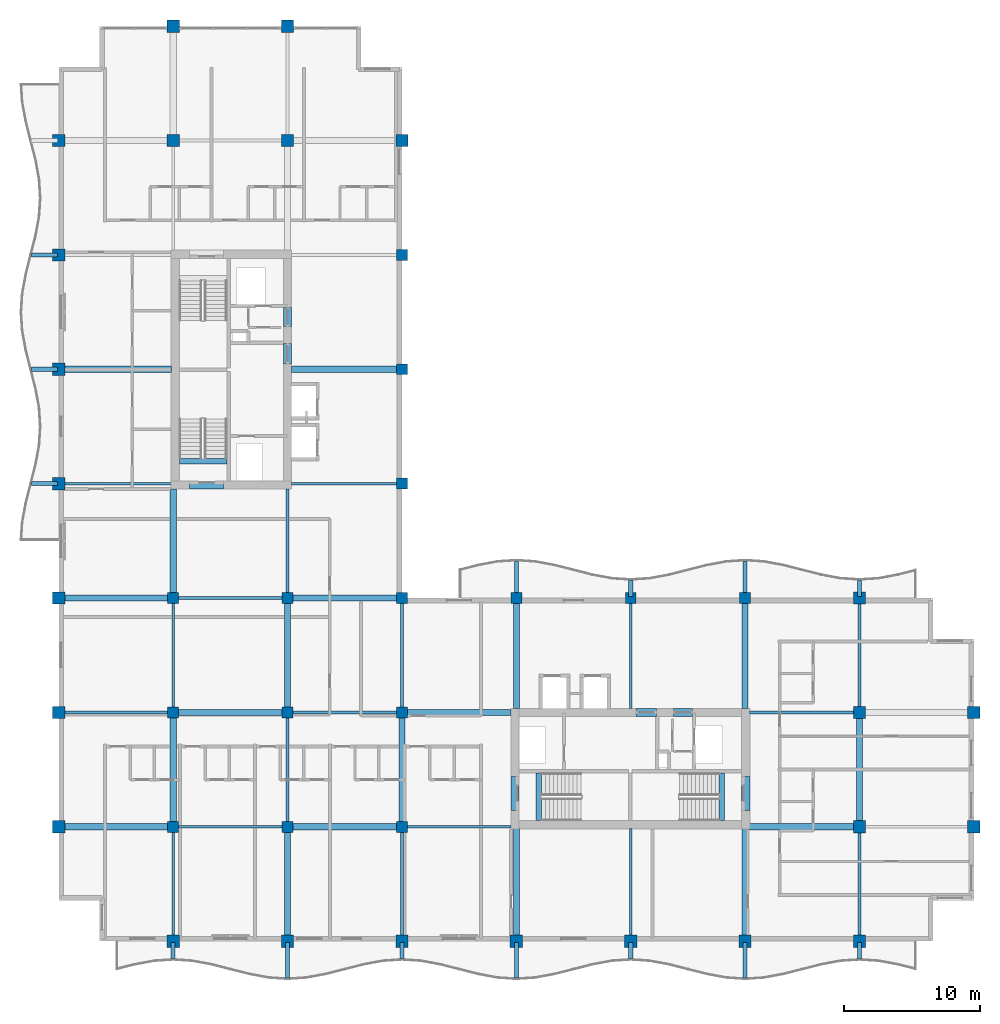
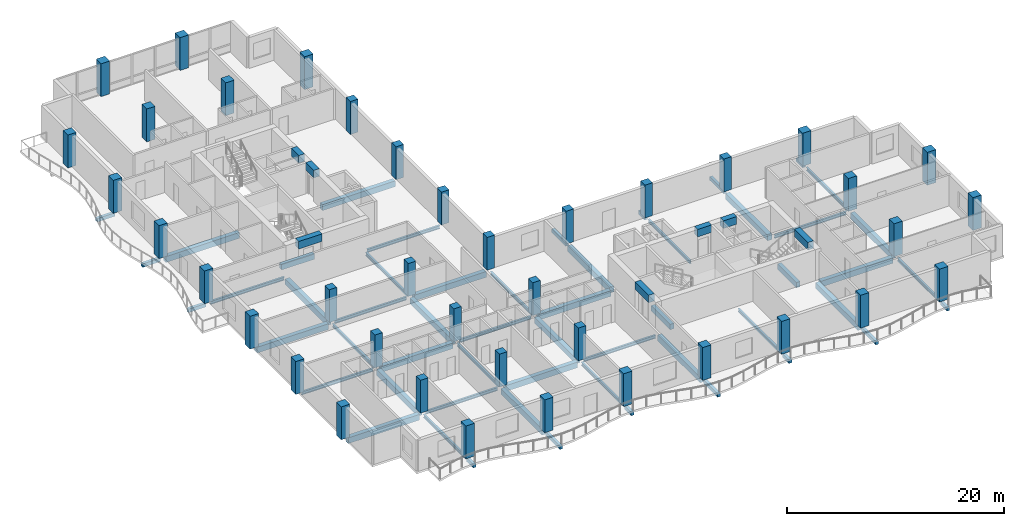
# One storey, part 1 of 15: 61 beams, 39 columns.
"""IFC4 building model written with IfcOpenShell, lengths in metres."""

import ifcopenshell
import ifcopenshell.guid

model = None  # the IFC model being written
_history = None  # IfcOwnerHistory: only IFC2X3 demands one
_inside = {}  # id of a spatial element -> (the spatial element, [elements in it])
_under = {}  # id of a project, library or spatial element -> (it, [spatial elements below it])
_declared = {}  # id of a project -> (the project, [libraries it declares])
_typed = {}  # id of a type object -> (the type object, [elements of that type])
_made_of = {}  # id of a material, layer set ... -> (it, [elements and type objects made of it])


def new_model(schema):
    """Start an empty IFC model of exactly this schema.

    Asked for "IFC4X3", IfcOpenShell would pick the latest addendum, in which some entities
    have other attributes; the version numbers below select the first issue.
    IFC2X3 requires an IfcOwnerHistory on every rooted entity: one is made here for all.
    """
    global model, _history
    if schema == "IFC4X3":
        model = ifcopenshell.file(schema_version=(4, 3, 0, 0))
    else:
        model = ifcopenshell.file(schema=schema)
    _inside.clear()
    _under.clear()
    _declared.clear()
    _typed.clear()
    _made_of.clear()
    _history = None
    if model.schema == "IFC2X3":
        org = make("IfcOrganization", Name="unknown")
        user = make(
            "IfcPersonAndOrganization",
            ThePerson=make("IfcPerson", FamilyName="unknown"),
            TheOrganization=org,
        )
        app = make(
            "IfcApplication",
            ApplicationDeveloper=org,
            Version="unknown",
            ApplicationFullName="unknown",
            ApplicationIdentifier="unknown",
        )
        _history = make(
            "IfcOwnerHistory",
            OwningUser=user,
            OwningApplication=app,
            ChangeAction="ADDED",
            CreationDate=0,
        )
    return model


def make(cls, **values):
    """One entity of the class cls with the attributes given. An attribute that is None is left unset."""
    return model.create_entity(
        cls, **{name: value for name, value in values.items() if value is not None}
    )


def rooted(cls, **values):
    """An entity with a GlobalId (a new one), such as an element, a storey or a relation."""
    return make(cls, GlobalId=ifcopenshell.guid.new(), OwnerHistory=_history, **values)


def si_unit(unit_type, name, prefix=None):
    """IfcSIUnit, for example si_unit("LENGTHUNIT", "METRE", prefix="MILLI")."""
    return make("IfcSIUnit", UnitType=unit_type, Prefix=prefix, Name=name)


def assignment(units):
    """IfcUnitAssignment: the units of a project."""
    return None if units is None else make("IfcUnitAssignment", Units=units)


def point(xyz):
    """IfcCartesianPoint."""
    return None if xyz is None else make("IfcCartesianPoint", Coordinates=xyz)


def direction(xyz):
    """IfcDirection."""
    return None if xyz is None else make("IfcDirection", DirectionRatios=xyz)


def frame(location, z_axis=None, x_axis=None):
    """IfcAxis2Placement3D, a coordinate frame: its origin and axes. An axis left out is left unset."""
    return make(
        "IfcAxis2Placement3D",
        Location=point(location),
        Axis=direction(z_axis),
        RefDirection=direction(x_axis),
    )


def frame_2d(location, x_axis=None):
    """IfcAxis2Placement2D, a coordinate frame in the plane: its origin and x axis."""
    return make(
        "IfcAxis2Placement2D", Location=point(location), RefDirection=direction(x_axis)
    )


def origin():
    """The frame at (0, 0, 0) with its axes left unset."""
    return frame((0.0, 0.0, 0.0))


def origin_2d():
    """The frame at (0, 0) in the plane with its x axis left unset."""
    return frame_2d((0.0, 0.0))


def place(relative_to, where):
    """IfcLocalPlacement: puts the frame where relative to a parent placement (None: the world)."""
    return make(
        "IfcLocalPlacement", PlacementRelTo=relative_to, RelativePlacement=where
    )


def context(
    kind, dimensions, precision=None, world=None, true_north=None, identifier=None
):
    """IfcGeometricRepresentationContext, for example the 3D "Model" context."""
    return make(
        "IfcGeometricRepresentationContext",
        ContextIdentifier=identifier,
        ContextType=kind,
        CoordinateSpaceDimension=dimensions,
        Precision=precision,
        WorldCoordinateSystem=world,
        TrueNorth=true_north,
    )


def subcontext(parent, identifier, kind, view, scale=None):
    """IfcGeometricRepresentationSubContext, for example "Body" below "Model"."""
    return make(
        "IfcGeometricRepresentationSubContext",
        ContextIdentifier=identifier,
        ContextType=kind,
        ParentContext=parent,
        TargetScale=scale,
        TargetView=view,
    )


def project(units=None, contexts=None):
    """IfcProject with its units and contexts."""
    return rooted(
        "IfcProject",
        Name="project",
        RepresentationContexts=contexts,
        UnitsInContext=assignment(units),
    )


def spatial(cls, under=None, at=None, **own):
    """A site, building, storey or space (cls), placed at a placement, below another one or the project."""
    s = rooted(cls, ObjectPlacement=at, **own)
    if under is not None:
        _under.setdefault(under.id(), (under, []))[1].append(s)
    return s


def profile(cls, at=None, kind="AREA", **sizes):
    """A parametric profile (cls). Its sizes go by their IFC names, for example OverallWidth=200.0."""
    return make(cls, ProfileType=kind, Position=at, **sizes)


def rectangle(**sizes):
    """IfcRectangleProfileDef."""
    return profile("IfcRectangleProfileDef", **sizes)


def i_section(**sizes):
    """IfcIShapeProfileDef."""
    return profile("IfcIShapeProfileDef", **sizes)


def extrude(swept, where, along, depth):
    """IfcExtrudedAreaSolid: the profile swept, set in the frame where, extruded along a direction by depth."""
    return make(
        "IfcExtrudedAreaSolid",
        SweptArea=swept,
        Position=where,
        ExtrudedDirection=direction(along),
        Depth=depth,
    )


def shape(context_of_items, identifier, shape_type, items):
    """IfcShapeRepresentation: the items that make up one representation, for example the "Body"."""
    return make(
        "IfcShapeRepresentation",
        ContextOfItems=context_of_items,
        RepresentationIdentifier=identifier,
        RepresentationType=shape_type,
        Items=items,
    )


def material(Name=None, Category=None):
    """IfcMaterial."""
    return make("IfcMaterial", Name=Name, Category=Category)


def material_profile(
    of_material, cross_section, Name=None, Category=None, Priority=None
):
    """IfcMaterialProfile: a cross section and its material."""
    return make(
        "IfcMaterialProfile",
        Name=Name,
        Material=of_material,
        Profile=cross_section,
        Priority=Priority,
        Category=Category,
    )


def profile_set(profiles, Name=None, composite=None):
    """IfcMaterialProfileSet."""
    return make(
        "IfcMaterialProfileSet",
        Name=Name,
        MaterialProfiles=profiles,
        CompositeProfile=composite,
    )


def made_of(thing, what):
    """Note that an element or type object is made of a material, layer set ...; save() writes the relation."""
    if what is not None:
        _made_of.setdefault(what.id(), (what, []))[1].append(thing)
    return thing


def type_object(cls, material=None, **own):
    """A type object (cls), such as IfcWallType, which elements share."""
    return made_of(rooted(cls, **own), material)


def element(
    cls,
    number,
    at=None,
    inside=None,
    cuts=None,
    type_object=None,
    material=None,
    context=None,
    identifier="Body",
    shape_type=None,
    held_by="IfcProductDefinitionShape",
    body=None,
    shapes=None,
    **own,
):
    """One element of the class cls, such as IfcWall. Its Tag is "e" and its number.

    at: its placement. inside: the storey or other place that contains it. cuts: it is an
    opening in that element (IfcRelVoidsElement). A single representation is given by context,
    identifier, shape_type and body (its items); several are given by shapes. held_by: the class
    of the entity that holds the representations. save() writes the other relations.
    """
    e = rooted(cls, Tag="e%d" % number, ObjectPlacement=at, **own)
    if body is not None:
        shapes = [shape(context, identifier, shape_type, body)]
    if shapes is not None:
        e.Representation = make(held_by, Representations=shapes)
    if inside is not None:
        _inside.setdefault(inside.id(), (inside, []))[1].append(e)
    if cuts is not None:
        rooted(
            "IfcRelVoidsElement", RelatingBuildingElement=cuts, RelatedOpeningElement=e
        )
    if type_object is not None:
        _typed.setdefault(type_object.id(), (type_object, []))[1].append(e)
    return made_of(e, material)


def aggregate(whole, parts):
    """IfcRelAggregates: a whole, such as a stair, and the parts it consists of."""
    return rooted("IfcRelAggregates", RelatingObject=whole, RelatedObjects=parts)


def save(model, path):
    """Write the relations noted so far, then the file.

    IfcRelAggregates (storeys below a building ...), IfcRelContainedInSpatialStructure (elements
    in a storey), IfcRelDefinesByType, IfcRelAssociatesMaterial and IfcRelDeclares: one each for
    every whole, place, type object, material and project.
    """
    for whole, parts in _under.values():
        aggregate(whole, parts)
    for where, things in _inside.values():
        rooted(
            "IfcRelContainedInSpatialStructure",
            RelatedElements=things,
            RelatingStructure=where,
        )
    for kind, things in _typed.values():
        rooted("IfcRelDefinesByType", RelatedObjects=things, RelatingType=kind)
    for what, things in _made_of.values():
        rooted("IfcRelAssociatesMaterial", RelatedObjects=things, RelatingMaterial=what)
    for by, libraries in _declared.values():
        rooted("IfcRelDeclares", RelatingContext=by, RelatedDefinitions=libraries)
    model.write(path)


model = new_model("IFC4")

# Units and contexts
model_context = context("Model", 3, precision=1e-05, world=origin(), true_north=direction((0.0, 1.0)))
body_context = subcontext(model_context, "Body", "Model", "MODEL_VIEW")
ifc_project = project(units=[si_unit("LENGTHUNIT", "METRE"), si_unit("AREAUNIT", "SQUARE_METRE"), si_unit("VOLUMEUNIT", "CUBIC_METRE"), si_unit("PLANEANGLEUNIT", "RADIAN"), si_unit("MASSUNIT", "GRAM", prefix="KILO")], contexts=[model_context])

# Site, building, storey
site_placement = place(None, origin())
site = spatial("IfcSite", under=ifc_project, at=site_placement, CompositionType="ELEMENT")
building_placement = place(site_placement, origin())
building = spatial("IfcBuilding", under=site, at=building_placement, Name="Koriwani Terraces Tower", CompositionType="ELEMENT")
storey_placement = place(building_placement, frame((0.0, 0.0, 282.300048828125)))
storey = spatial("IfcBuildingStorey", under=building, at=storey_placement, Name="L70", CompositionType="ELEMENT", Elevation=282.300048828125)

# Columns
ifc_material_1 = material(Name="Concrete C50/60", Category="concrete")
ifc_material_profile_1 = material_profile(ifc_material_1, rectangle(XDim=0.800048828125, YDim=0.800048828125, at=origin_2d()), Name="Concrete C50/60", Category="LoadBearing")
ifc_profile_set_1 = profile_set([ifc_material_profile_1], Name="Concrete C50/60")
column_type_1 = type_object("IfcColumnType", Name="COL_RC_800X800", PredefinedType="COLUMN", material=ifc_profile_set_1)
for number, where, z_axis, x_axis, name in (
    (1, (16.800048828125, 16.800048828125, 0.0), (0.0, 0.0, 1.0), (1.0, 0.0, 0.0), "L70 Column 3/C"),
    (2, (16.800048828125, 25.199951171875, 0.0), (0.0, 0.0, 1.0), (1.0, 0.0, 0.0), "L70 Column 3/D"),
    (3, (16.800048828125, 33.60009765625, 0.0), (0.0, 0.0, 1.0), (1.0, 0.0, 0.0), "L70 Column 3/E"),
    (4, (25.199951171875, 16.800048828125, 0.0), (0.0, 0.0, 1.0), (1.0, 0.0, 0.0), "L70 Column 4/C"),
    (5, (25.199951171875, 25.199951171875, 0.0), (0.0, 0.0, 1.0), (1.0, 0.0, 0.0), "L70 Column 4/D"),
    (6, (25.199951171875, 33.60009765625, 0.0), (0.0, 0.0, 1.0), (1.0, 0.0, 0.0), "L70 Column 4/E"),
    (7, (33.60009765625, 16.800048828125, 0.0), (0.0, 0.0, 1.0), (1.0, 0.0, 0.0), "L70 Column 5/C"),
    (8, (33.60009765625, 25.199951171875, 0.0), (0.0, 0.0, 1.0), (1.0, 0.0, 0.0), "L70 Column 5/D"),
    (9, (33.60009765625, 33.60009765625, 0.0), (0.0, 0.0, 1.0), (1.0, 0.0, 0.0), "L70 Column 5/E"),
    (10, (33.60009765625, 42.0, 0.0), (0.0, 0.0, 1.0), (1.0, 0.0, 0.0), "L70 Column 5/F"),
    (11, (33.60009765625, 50.39990234375, 0.0), (0.0, 0.0, 1.0), (1.0, 0.0, 0.0), "L70 Column 5/G"),
    (12, (33.60009765625, 58.800048828125, 0.0), (0.0, 0.0, 1.0), (1.0, 0.0, 0.0), "L70 Column 5/H"),
    (13, (42.0, 33.60009765625, 0.0), (0.0, 0.0, 1.0), (1.0, 0.0, 0.0), "L70 Column 6/E"),
    (14, (50.39990234375, 33.60009765625, 0.0), (0.0, 0.0, 1.0), (1.0, 0.0, 0.0), "L70 Column 7/E"),
    (15, (58.800048828125, 33.60009765625, 0.0), (0.0, 0.0, 1.0), (1.0, 0.0, 0.0), "L70 Column 8/E"),
):
    element("IfcColumn", number, at=place(storey_placement, frame(where, z_axis=z_axis, x_axis=x_axis)), inside=storey, type_object=column_type_1, Name=name, PredefinedType="COLUMN", context=body_context, shape_type="SweptSolid", body=[
        extrude(rectangle(XDim=0.800048828125, YDim=0.800048828125, at=origin_2d()), origin(), (0.0, 0.0, 1.0), 3.699951171875),
    ])
ifc_material_profile_2 = material_profile(ifc_material_1, rectangle(XDim=0.89990234375, YDim=0.89990234375, at=origin_2d()), Name="Concrete C50/60", Category="LoadBearing")
ifc_profile_set_2 = profile_set([ifc_material_profile_2], Name="Concrete C50/60")
column_type_2 = type_object("IfcColumnType", Name="COL_RC_900X900", PredefinedType="COLUMN", material=ifc_profile_set_2)
for number, where, z_axis, x_axis, name in (
    (16, (8.39990234375, 16.800048828125, 0.0), (0.0, 0.0, 1.0), (1.0, 0.0, 0.0), "L70 Column 2/C"),
    (17, (8.39990234375, 25.199951171875, 0.0), (0.0, 0.0, 1.0), (1.0, 0.0, 0.0), "L70 Column 2/D"),
    (18, (8.39990234375, 33.60009765625, 0.0), (0.0, 0.0, 1.0), (1.0, 0.0, 0.0), "L70 Column 2/E"),
    (19, (8.39990234375, 42.0, 0.0), (0.0, 0.0, 1.0), (1.0, 0.0, 0.0), "L70 Column 2/F"),
    (20, (8.39990234375, 50.39990234375, 0.0), (0.0, 0.0, 1.0), (1.0, 0.0, 0.0), "L70 Column 2/G"),
    (21, (8.39990234375, 58.800048828125, 0.0), (0.0, 0.0, 1.0), (1.0, 0.0, 0.0), "L70 Column 2/H"),
    (22, (8.39990234375, 67.199951171875, 0.0), (0.0, 0.0, 1.0), (1.0, 0.0, 0.0), "L70 Column 2/I"),
    (23, (16.800048828125, 8.39990234375, 0.0), (0.0, 0.0, 1.0), (1.0, 0.0, 0.0), "L70 Column 3/B"),
    (24, (16.800048828125, 67.199951171875, 0.0), (0.0, 0.0, 1.0), (1.0, 0.0, 0.0), "L70 Column 3/I"),
    (25, (16.800048828125, 75.60009765625, 0.0), (0.0, 0.0, 1.0), (1.0, 0.0, 0.0), "L70 Column 3/J"),
    (26, (25.199951171875, 8.39990234375, 0.0), (0.0, 0.0, 1.0), (1.0, 0.0, 0.0), "L70 Column 4/B"),
    (27, (25.199951171875, 67.199951171875, 0.0), (0.0, 0.0, 1.0), (1.0, 0.0, 0.0), "L70 Column 4/I"),
    (28, (25.199951171875, 75.60009765625, 0.0), (0.0, 0.0, 1.0), (1.0, 0.0, 0.0), "L70 Column 4/J"),
    (29, (33.60009765625, 8.39990234375, 0.0), (0.0, 0.0, 1.0), (1.0, 0.0, 0.0), "L70 Column 5/B"),
    (30, (33.60009765625, 67.199951171875, 0.0), (0.0, 0.0, 1.0), (1.0, 0.0, 0.0), "L70 Column 5/I"),
    (31, (42.0, 8.39990234375, 0.0), (0.0, 0.0, 1.0), (1.0, 0.0, 0.0), "L70 Column 6/B"),
    (32, (50.39990234375, 8.39990234375, 0.0), (0.0, 0.0, 1.0), (1.0, 0.0, 0.0), "L70 Column 7/B"),
    (33, (58.800048828125, 8.39990234375, 0.0), (0.0, 0.0, 1.0), (1.0, 0.0, 0.0), "L70 Column 8/B"),
    (34, (67.199951171875, 8.39990234375, 0.0), (0.0, 0.0, 1.0), (1.0, 0.0, 0.0), "L70 Column 9/B"),
    (35, (67.199951171875, 16.800048828125, 0.0), (0.0, 0.0, 1.0), (1.0, 0.0, 0.0), "L70 Column 9/C"),
    (36, (67.199951171875, 25.199951171875, 0.0), (0.0, 0.0, 1.0), (1.0, 0.0, 0.0), "L70 Column 9/D"),
    (37, (67.199951171875, 33.60009765625, 0.0), (0.0, 0.0, 1.0), (1.0, 0.0, 0.0), "L70 Column 9/E"),
    (38, (75.60009765625, 16.800048828125, 0.0), (0.0, 0.0, 1.0), (1.0, 0.0, 0.0), "L70 Column 10/C"),
    (39, (75.60009765625, 25.199951171875, 0.0), (0.0, 0.0, 1.0), (1.0, 0.0, 0.0), "L70 Column 10/D"),
):
    element("IfcColumn", number, at=place(storey_placement, frame(where, z_axis=z_axis, x_axis=x_axis)), inside=storey, type_object=column_type_2, Name=name, PredefinedType="COLUMN", context=body_context, shape_type="SweptSolid", body=[
        extrude(rectangle(XDim=0.89990234375, YDim=0.89990234375, at=origin_2d()), origin(), (0.0, 0.0, 1.0), 3.699951171875),
    ])

# Beams
ifc_material_2 = material(Name="Concrete C40/50", Category="concrete")
ifc_material_profile_3 = material_profile(ifc_material_2, rectangle(XDim=0.300048828125, YDim=0.39990234375, at=origin_2d()), Name="Concrete C40/50", Category="LoadBearing")
ifc_profile_set_3 = profile_set([ifc_material_profile_3], Name="Concrete C40/50")
beam_type_1 = type_object("IfcBeamType", Name="BEAM_RC_BALCONY_RIB_300X400", PredefinedType="JOIST", material=ifc_profile_set_3)
beam_1_placement = place(storey_placement, frame((16.800048828125, 7.1201171875, -0.429931640625), z_axis=(0.0, 1.0, 0.0), x_axis=(-1.0, 0.0, 0.0)))
element("IfcBeam", 40, at=beam_1_placement, inside=storey, type_object=beam_type_1, Name="L70 Balcony Bracket Rib S-1", PredefinedType="JOIST", context=body_context, shape_type="SweptSolid", body=[
    extrude(rectangle(XDim=0.300048828125, YDim=0.39990234375, at=origin_2d()), origin(), (0.0, 0.0, 1.0), 1.179931640625),
])
beam_2_placement = place(storey_placement, frame((25.199951171875, 5.699951171875, -0.429931640625), z_axis=(0.0, 1.0, 0.0), x_axis=(-1.0, 0.0, 0.0)))
element("IfcBeam", 41, at=beam_2_placement, inside=storey, type_object=beam_type_1, Name="L70 Balcony Bracket Rib S-2", PredefinedType="JOIST", context=body_context, shape_type="SweptSolid", body=[
    extrude(rectangle(XDim=0.300048828125, YDim=0.39990234375, at=origin_2d()), origin(), (0.0, 0.0, 1.0), 2.60009765625),
])
beam_3_placement = place(storey_placement, frame((33.60009765625, 7.1201171875, -0.429931640625), z_axis=(0.0, 1.0, 0.0), x_axis=(-1.0, 0.0, 0.0)))
element("IfcBeam", 42, at=beam_3_placement, inside=storey, type_object=beam_type_1, Name="L70 Balcony Bracket Rib S-3", PredefinedType="JOIST", context=body_context, shape_type="SweptSolid", body=[
    extrude(rectangle(XDim=0.300048828125, YDim=0.39990234375, at=origin_2d()), origin(), (0.0, 0.0, 1.0), 1.179931640625),
])
beam_4_placement = place(storey_placement, frame((42.0, 5.699951171875, -0.429931640625), z_axis=(0.0, 1.0, 0.0), x_axis=(-1.0, 0.0, 0.0)))
element("IfcBeam", 43, at=beam_4_placement, inside=storey, type_object=beam_type_1, Name="L70 Balcony Bracket Rib S-4", PredefinedType="JOIST", context=body_context, shape_type="SweptSolid", body=[
    extrude(rectangle(XDim=0.300048828125, YDim=0.39990234375, at=origin_2d()), origin(), (0.0, 0.0, 1.0), 2.60009765625),
])
beam_5_placement = place(storey_placement, frame((50.39990234375, 7.1201171875, -0.429931640625), z_axis=(0.0, 1.0, 0.0), x_axis=(-1.0, 0.0, 0.0)))
element("IfcBeam", 44, at=beam_5_placement, inside=storey, type_object=beam_type_1, Name="L70 Balcony Bracket Rib S-5", PredefinedType="JOIST", context=body_context, shape_type="SweptSolid", body=[
    extrude(rectangle(XDim=0.300048828125, YDim=0.39990234375, at=origin_2d()), origin(), (0.0, 0.0, 1.0), 1.179931640625),
])
beam_6_placement = place(storey_placement, frame((58.800048828125, 5.699951171875, -0.429931640625), z_axis=(0.0, 1.0, 0.0), x_axis=(-1.0, 0.0, 0.0)))
element("IfcBeam", 45, at=beam_6_placement, inside=storey, type_object=beam_type_1, Name="L70 Balcony Bracket Rib S-6", PredefinedType="JOIST", context=body_context, shape_type="SweptSolid", body=[
    extrude(rectangle(XDim=0.300048828125, YDim=0.39990234375, at=origin_2d()), origin(), (0.0, 0.0, 1.0), 2.60009765625),
])
beam_7_placement = place(storey_placement, frame((67.199951171875, 7.1201171875, -0.429931640625), z_axis=(0.0, 1.0, 0.0), x_axis=(-1.0, 0.0, 0.0)))
element("IfcBeam", 46, at=beam_7_placement, inside=storey, type_object=beam_type_1, Name="L70 Balcony Bracket Rib S-7", PredefinedType="JOIST", context=body_context, shape_type="SweptSolid", body=[
    extrude(rectangle(XDim=0.300048828125, YDim=0.39990234375, at=origin_2d()), origin(), (0.0, 0.0, 1.0), 1.179931640625),
])
for number, where, z_axis, x_axis, name in (
    (47, (6.409912109375, 42.0, -0.429931640625), (1.0, 0.0, 0.0), (0.0, 1.0, 0.0), "L70 Balcony Bracket Rib W-1"),
    (48, (6.409912109375, 50.39990234375, -0.429931640625), (1.0, 0.0, 0.0), (0.0, 1.0, 0.0), "L70 Balcony Bracket Rib W-2"),
    (49, (6.409912109375, 58.800048828125, -0.429931640625), (1.0, 0.0, 0.0), (0.0, 1.0, 0.0), "L70 Balcony Bracket Rib W-3"),
):
    element("IfcBeam", number, at=place(storey_placement, frame(where, z_axis=z_axis, x_axis=x_axis)), inside=storey, type_object=beam_type_1, Name=name, PredefinedType="JOIST", context=body_context, shape_type="SweptSolid", body=[
        extrude(rectangle(XDim=0.300048828125, YDim=0.39990234375, at=origin_2d()), origin(), (0.0, 0.0, 1.0), 1.89013671875),
    ])
beam_8_placement = place(storey_placement, frame((42.0, 33.699951171875, -0.429931640625), z_axis=(0.0, 1.0, 0.0), x_axis=(-1.0, 0.0, 0.0)))
element("IfcBeam", 50, at=beam_8_placement, inside=storey, type_object=beam_type_1, Name="L70 Balcony Bracket Rib NE-1", PredefinedType="JOIST", context=body_context, shape_type="SweptSolid", body=[
    extrude(rectangle(XDim=0.300048828125, YDim=0.39990234375, at=origin_2d()), origin(), (0.0, 0.0, 1.0), 2.60009765625),
])
beam_9_placement = place(storey_placement, frame((50.39990234375, 33.699951171875, -0.429931640625), z_axis=(0.0, 1.0, 0.0), x_axis=(-1.0, 0.0, 0.0)))
element("IfcBeam", 51, at=beam_9_placement, inside=storey, type_object=beam_type_1, Name="L70 Balcony Bracket Rib NE-2", PredefinedType="JOIST", context=body_context, shape_type="SweptSolid", body=[
    extrude(rectangle(XDim=0.300048828125, YDim=0.39990234375, at=origin_2d()), origin(), (0.0, 0.0, 1.0), 1.179931640625),
])
beam_10_placement = place(storey_placement, frame((58.800048828125, 33.699951171875, -0.429931640625), z_axis=(0.0, 1.0, 0.0), x_axis=(-1.0, 0.0, 0.0)))
element("IfcBeam", 52, at=beam_10_placement, inside=storey, type_object=beam_type_1, Name="L70 Balcony Bracket Rib NE-3", PredefinedType="JOIST", context=body_context, shape_type="SweptSolid", body=[
    extrude(rectangle(XDim=0.300048828125, YDim=0.39990234375, at=origin_2d()), origin(), (0.0, 0.0, 1.0), 2.60009765625),
])
beam_11_placement = place(storey_placement, frame((67.199951171875, 33.699951171875, -0.429931640625), z_axis=(0.0, 1.0, 0.0), x_axis=(-1.0, 0.0, 0.0)))
element("IfcBeam", 53, at=beam_11_placement, inside=storey, type_object=beam_type_1, Name="L70 Balcony Bracket Rib NE-4", PredefinedType="JOIST", context=body_context, shape_type="SweptSolid", body=[
    extrude(rectangle(XDim=0.300048828125, YDim=0.39990234375, at=origin_2d()), origin(), (0.0, 0.0, 1.0), 1.179931640625),
])
ifc_material_profile_4 = material_profile(ifc_material_1, rectangle(XDim=0.60009765625, YDim=0.85009765625, at=origin_2d()), Name="Concrete C50/60", Category="LoadBearing")
ifc_profile_set_4 = profile_set([ifc_material_profile_4], Name="Concrete C50/60")
beam_type_2 = type_object("IfcBeamType", Name="BEAM_RC_COUPLING_600X850", PredefinedType="LINTEL", material=ifc_profile_set_4)
beam_12_placement = place(storey_placement, frame((25.199951171875, 50.800048828125, 3.044921875), z_axis=(0.0, 1.0, 0.0), x_axis=(-1.0, 0.0, 0.0)))
element("IfcBeam", 54, at=beam_12_placement, inside=storey, type_object=beam_type_2, Name="L70 Core Coupling Lintel Beam WE1", PredefinedType="LINTEL", context=body_context, shape_type="SweptSolid", body=[
    extrude(rectangle(XDim=0.60009765625, YDim=0.85009765625, at=origin_2d()), origin(), (0.0, 0.0, 1.0), 1.47998046875),
])
beam_13_placement = place(storey_placement, frame((25.199951171875, 53.550048828125, 3.044921875), z_axis=(0.0, 1.0, 0.0), x_axis=(-1.0, 0.0, 0.0)))
element("IfcBeam", 55, at=beam_13_placement, inside=storey, type_object=beam_type_2, Name="L70 Core Coupling Lintel Beam WE2", PredefinedType="LINTEL", context=body_context, shape_type="SweptSolid", body=[
    extrude(rectangle(XDim=0.60009765625, YDim=0.85009765625, at=origin_2d()), origin(), (0.0, 0.0, 1.0), 1.39990234375),
])
beam_14_placement = place(storey_placement, frame((18.0, 41.89990234375, 3.044921875), z_axis=(1.0, 0.0, 0.0), x_axis=(0.0, 1.0, 0.0)))
element("IfcBeam", 56, at=beam_14_placement, inside=storey, type_object=beam_type_2, Name="L70 Core Coupling Lintel Beam WS", PredefinedType="LINTEL", context=body_context, shape_type="SweptSolid", body=[
    extrude(rectangle(XDim=0.60009765625, YDim=0.85009765625, at=origin_2d()), origin(), (0.0, 0.0, 1.0), 2.5),
])
beam_15_placement = place(storey_placement, frame((50.800048828125, 25.199951171875, 3.044921875), z_axis=(1.0, 0.0, 0.0), x_axis=(0.0, 1.0, 0.0)))
element("IfcBeam", 57, at=beam_15_placement, inside=storey, type_object=beam_type_2, Name="L70 Core Coupling Lintel Beam EN1", PredefinedType="LINTEL", context=body_context, shape_type="SweptSolid", body=[
    extrude(rectangle(XDim=0.60009765625, YDim=0.85009765625, at=origin_2d()), origin(), (0.0, 0.0, 1.0), 1.47998046875),
])
beam_16_placement = place(storey_placement, frame((53.550048828125, 25.199951171875, 3.044921875), z_axis=(1.0, 0.0, 0.0), x_axis=(0.0, 1.0, 0.0)))
element("IfcBeam", 58, at=beam_16_placement, inside=storey, type_object=beam_type_2, Name="L70 Core Coupling Lintel Beam EN2", PredefinedType="LINTEL", context=body_context, shape_type="SweptSolid", body=[
    extrude(rectangle(XDim=0.60009765625, YDim=0.85009765625, at=origin_2d()), origin(), (0.0, 0.0, 1.0), 1.39990234375),
])
for number, where, z_axis, x_axis, name in (
    (59, (41.89990234375, 18.0, 3.044921875), (0.0, 1.0, 0.0), (-1.0, 0.0, 0.0), "L70 Core Coupling Lintel Beam EW"),
    (60, (58.85009765625, 18.0, 3.044921875), (0.0, 1.0, 0.0), (-1.0, 0.0, 0.0), "L70 Core Coupling Lintel Beam EE"),
):
    element("IfcBeam", number, at=place(storey_placement, frame(where, z_axis=z_axis, x_axis=x_axis)), inside=storey, type_object=beam_type_2, Name=name, PredefinedType="LINTEL", context=body_context, shape_type="SweptSolid", body=[
        extrude(rectangle(XDim=0.60009765625, YDim=0.85009765625, at=origin_2d()), origin(), (0.0, 0.0, 1.0), 2.5),
    ])
ifc_material_profile_5 = material_profile(ifc_material_2, rectangle(XDim=0.39990234375, YDim=0.60009765625, at=origin_2d()), Name="Concrete C40/50", Category="LoadBearing")
ifc_profile_set_5 = profile_set([ifc_material_profile_5], Name="Concrete C40/50")
beam_type_3 = type_object("IfcBeamType", Name="BEAM_RC_GRID_400X600", PredefinedType="BEAM", material=ifc_profile_set_5)
for number, where, z_axis, x_axis, name in (
    (61, (17.25, 43.655029296875, -0.300048828125), (1.0, 0.0, 0.0), (0.0, 1.0, 0.0), "L70 Stairwell Header Trimmer Beam ST-W1"),
    (62, (43.655029296875, 17.25, -0.300048828125), (0.0, 1.0, 0.0), (-1.0, 0.0, 0.0), "L70 Stairwell Header Trimmer Beam ST-E1"),
    (63, (57.094970703125, 17.25, -0.300048828125), (0.0, 1.0, 0.0), (-1.0, 0.0, 0.0), "L70 Stairwell Header Trimmer Beam ST-E2"),
):
    element("IfcBeam", number, at=place(storey_placement, frame(where, z_axis=z_axis, x_axis=x_axis)), inside=storey, type_object=beam_type_3, Name=name, PredefinedType="BEAM", context=body_context, shape_type="SweptSolid", body=[
        extrude(rectangle(XDim=0.39990234375, YDim=0.60009765625, at=origin_2d()), origin(), (0.0, 0.0, 1.0), 3.5),
    ])
ifc_material_profile_6 = material_profile(ifc_material_1, rectangle(XDim=0.449951171875, YDim=0.64990234375, at=origin_2d()), Name="Concrete C50/60", Category="LoadBearing")
ifc_profile_set_6 = profile_set([ifc_material_profile_6], Name="Concrete C50/60")
beam_type_4 = type_object("IfcBeamType", Name="BEAM_RC_GRID_450X650", PredefinedType="BEAM", material=ifc_profile_set_6)
beam_17_placement = place(storey_placement, frame((8.830078125, 16.800048828125, -0.554931640625), z_axis=(1.0, 0.0, 0.0), x_axis=(0.0, 1.0, 0.0)))
element("IfcBeam", 64, at=beam_17_placement, inside=storey, type_object=beam_type_4, Name="L70 Grid Beam C (8.4-16.8m)", PredefinedType="BEAM", context=body_context, shape_type="SweptSolid", body=[
    extrude(rectangle(XDim=0.449951171875, YDim=0.64990234375, at=origin_2d()), origin(), (0.0, 0.0, 1.0), 7.58984375),
])
beam_18_placement = place(storey_placement, frame((25.580078125, 16.800048828125, -0.554931640625), z_axis=(1.0, 0.0, 0.0), x_axis=(0.0, 1.0, 0.0)))
element("IfcBeam", 65, at=beam_18_placement, inside=storey, type_object=beam_type_4, Name="L70 Grid Beam C (25.2-33.6m)", PredefinedType="BEAM", context=body_context, shape_type="SweptSolid", body=[
    extrude(rectangle(XDim=0.449951171875, YDim=0.64990234375, at=origin_2d()), origin(), (0.0, 0.0, 1.0), 7.639892578125),
])
for number, where, z_axis, x_axis, name in (
    (66, (59.1298828125, 16.800048828125, -0.554931640625), (1.0, 0.0, 0.0), (0.0, 1.0, 0.0), "L70 Grid Beam C (58.8-67.2m)"),
    (67, (17.179931640625, 25.199951171875, -0.554931640625), (1.0, 0.0, 0.0), (0.0, 1.0, 0.0), "L70 Grid Beam D (16.8-25.2m)"),
    (68, (33.97998046875, 25.199951171875, -0.554931640625), (1.0, 0.0, 0.0), (0.0, 1.0, 0.0), "L70 Grid Beam D (33.6-42.0m)"),
):
    element("IfcBeam", number, at=place(storey_placement, frame(where, z_axis=z_axis, x_axis=x_axis)), inside=storey, type_object=beam_type_4, Name=name, PredefinedType="BEAM", context=body_context, shape_type="SweptSolid", body=[
        extrude(rectangle(XDim=0.449951171875, YDim=0.64990234375, at=origin_2d()), origin(), (0.0, 0.0, 1.0), 7.64013671875),
    ])
beam_19_placement = place(storey_placement, frame((8.830078125, 33.60009765625, -0.554931640625), z_axis=(1.0, 0.0, 0.0), x_axis=(0.0, 1.0, 0.0)))
element("IfcBeam", 69, at=beam_19_placement, inside=storey, type_object=beam_type_4, Name="L70 Grid Beam E (8.4-16.8m)", PredefinedType="BEAM", context=body_context, shape_type="SweptSolid", body=[
    extrude(rectangle(XDim=0.449951171875, YDim=0.64990234375, at=origin_2d()), origin(), (0.0, 0.0, 1.0), 7.58984375),
])
beam_20_placement = place(storey_placement, frame((25.580078125, 33.60009765625, -0.554931640625), z_axis=(1.0, 0.0, 0.0), x_axis=(0.0, 1.0, 0.0)))
element("IfcBeam", 70, at=beam_20_placement, inside=storey, type_object=beam_type_4, Name="L70 Grid Beam E (25.2-33.6m)", PredefinedType="BEAM", context=body_context, shape_type="SweptSolid", body=[
    extrude(rectangle(XDim=0.449951171875, YDim=0.64990234375, at=origin_2d()), origin(), (0.0, 0.0, 1.0), 7.639892578125),
])
beam_21_placement = place(storey_placement, frame((8.830078125, 50.39990234375, -0.554931640625), z_axis=(1.0, 0.0, 0.0), x_axis=(0.0, 1.0, 0.0)))
element("IfcBeam", 71, at=beam_21_placement, inside=storey, type_object=beam_type_4, Name="L70 Grid Beam G (8.4-16.8m)", PredefinedType="BEAM", context=body_context, shape_type="SweptSolid", body=[
    extrude(rectangle(XDim=0.449951171875, YDim=0.64990234375, at=origin_2d()), origin(), (0.0, 0.0, 1.0), 7.83984375),
])
beam_22_placement = place(storey_placement, frame((25.47998046875, 50.39990234375, -0.554931640625), z_axis=(1.0, 0.0, 0.0), x_axis=(0.0, 1.0, 0.0)))
element("IfcBeam", 72, at=beam_22_placement, inside=storey, type_object=beam_type_4, Name="L70 Grid Beam G (25.2-33.6m)", PredefinedType="BEAM", context=body_context, shape_type="SweptSolid", body=[
    extrude(rectangle(XDim=0.449951171875, YDim=0.64990234375, at=origin_2d()), origin(), (0.0, 0.0, 1.0), 7.739990234375),
])
for number, where, z_axis, x_axis, name in (
    (73, (16.800048828125, 17.179931640625, -0.554931640625), (0.0, 1.0, 0.0), (-1.0, 0.0, 0.0), "L70 Grid Beam 3 (16.8-25.2m)"),
    (74, (16.800048828125, 33.97998046875, -0.554931640625), (0.0, 1.0, 0.0), (-1.0, 0.0, 0.0), "L70 Grid Beam 3 (33.6-42.0m)"),
):
    element("IfcBeam", number, at=place(storey_placement, frame(where, z_axis=z_axis, x_axis=x_axis)), inside=storey, type_object=beam_type_4, Name=name, PredefinedType="BEAM", context=body_context, shape_type="SweptSolid", body=[
        extrude(rectangle(XDim=0.449951171875, YDim=0.64990234375, at=origin_2d()), origin(), (0.0, 0.0, 1.0), 7.64013671875),
    ])
beam_23_placement = place(storey_placement, frame((25.199951171875, 8.830078125, -0.554931640625), z_axis=(0.0, 1.0, 0.0), x_axis=(-1.0, 0.0, 0.0)))
element("IfcBeam", 75, at=beam_23_placement, inside=storey, type_object=beam_type_4, Name="L70 Grid Beam 4 (8.4-16.8m)", PredefinedType="BEAM", context=body_context, shape_type="SweptSolid", body=[
    extrude(rectangle(XDim=0.449951171875, YDim=0.64990234375, at=origin_2d()), origin(), (0.0, 0.0, 1.0), 7.58984375),
])
beam_24_placement = place(storey_placement, frame((25.199951171875, 25.580078125, -0.554931640625), z_axis=(0.0, 1.0, 0.0), x_axis=(-1.0, 0.0, 0.0)))
element("IfcBeam", 76, at=beam_24_placement, inside=storey, type_object=beam_type_4, Name="L70 Grid Beam 4 (25.2-33.6m)", PredefinedType="BEAM", context=body_context, shape_type="SweptSolid", body=[
    extrude(rectangle(XDim=0.449951171875, YDim=0.64990234375, at=origin_2d()), origin(), (0.0, 0.0, 1.0), 7.639892578125),
])
beam_25_placement = place(storey_placement, frame((33.60009765625, 17.179931640625, -0.554931640625), z_axis=(0.0, 1.0, 0.0), x_axis=(-1.0, 0.0, 0.0)))
element("IfcBeam", 77, at=beam_25_placement, inside=storey, type_object=beam_type_4, Name="L70 Grid Beam 5 (16.8-25.2m)", PredefinedType="BEAM", context=body_context, shape_type="SweptSolid", body=[
    extrude(rectangle(XDim=0.449951171875, YDim=0.64990234375, at=origin_2d()), origin(), (0.0, 0.0, 1.0), 7.64013671875),
])
beam_26_placement = place(storey_placement, frame((42.0, 8.830078125, -0.554931640625), z_axis=(0.0, 1.0, 0.0), x_axis=(-1.0, 0.0, 0.0)))
element("IfcBeam", 78, at=beam_26_placement, inside=storey, type_object=beam_type_4, Name="L70 Grid Beam 6 (8.4-16.8m)", PredefinedType="BEAM", context=body_context, shape_type="SweptSolid", body=[
    extrude(rectangle(XDim=0.449951171875, YDim=0.64990234375, at=origin_2d()), origin(), (0.0, 0.0, 1.0), 7.83984375),
])
beam_27_placement = place(storey_placement, frame((42.0, 25.47998046875, -0.554931640625), z_axis=(0.0, 1.0, 0.0), x_axis=(-1.0, 0.0, 0.0)))
element("IfcBeam", 79, at=beam_27_placement, inside=storey, type_object=beam_type_4, Name="L70 Grid Beam 6 (25.2-33.6m)", PredefinedType="BEAM", context=body_context, shape_type="SweptSolid", body=[
    extrude(rectangle(XDim=0.449951171875, YDim=0.64990234375, at=origin_2d()), origin(), (0.0, 0.0, 1.0), 7.739990234375),
])
beam_28_placement = place(storey_placement, frame((58.800048828125, 8.830078125, -0.554931640625), z_axis=(0.0, 1.0, 0.0), x_axis=(-1.0, 0.0, 0.0)))
element("IfcBeam", 80, at=beam_28_placement, inside=storey, type_object=beam_type_4, Name="L70 Grid Beam 8 (8.4-16.8m)", PredefinedType="BEAM", context=body_context, shape_type="SweptSolid", body=[
    extrude(rectangle(XDim=0.449951171875, YDim=0.64990234375, at=origin_2d()), origin(), (0.0, 0.0, 1.0), 7.83984375),
])
beam_29_placement = place(storey_placement, frame((58.800048828125, 25.47998046875, -0.554931640625), z_axis=(0.0, 1.0, 0.0), x_axis=(-1.0, 0.0, 0.0)))
element("IfcBeam", 81, at=beam_29_placement, inside=storey, type_object=beam_type_4, Name="L70 Grid Beam 8 (25.2-33.6m)", PredefinedType="BEAM", context=body_context, shape_type="SweptSolid", body=[
    extrude(rectangle(XDim=0.449951171875, YDim=0.64990234375, at=origin_2d()), origin(), (0.0, 0.0, 1.0), 7.739990234375),
])
beam_30_placement = place(storey_placement, frame((67.199951171875, 17.22998046875, -0.554931640625), z_axis=(0.0, 1.0, 0.0), x_axis=(-1.0, 0.0, 0.0)))
element("IfcBeam", 82, at=beam_30_placement, inside=storey, type_object=beam_type_4, Name="L70 Grid Beam 9 (16.8-25.2m)", PredefinedType="BEAM", context=body_context, shape_type="SweptSolid", body=[
    extrude(rectangle(XDim=0.449951171875, YDim=0.64990234375, at=origin_2d()), origin(), (0.0, 0.0, 1.0), 7.5400390625),
])
ifc_material_3 = material(Name="Steel ASTM A572 Grade 50", Category="steel")
ifc_material_profile_7 = material_profile(ifc_material_3, i_section(OverallWidth=0.205078125, OverallDepth=0.35400390625, WebThickness=0.009521484375, FlangeThickness=0.016845703125, at=origin_2d()), Name="Steel ASTM A572 Grade 50", Category="LoadBearing")
ifc_profile_set_7 = profile_set([ifc_material_profile_7], Name="Steel ASTM A572 Grade 50")
beam_type_5 = type_object("IfcBeamType", Name="STEEL_BEAM_W360X79", PredefinedType="JOIST", material=ifc_profile_set_7)
for number, where, z_axis, x_axis, name in (
    (83, (17.179931640625, 16.800048828125, -0.406982421875), (1.0, 0.0, 0.0), (0.0, 1.0, 0.0), "L70 Grid Beam C (16.8-25.2m)"),
    (84, (33.97998046875, 16.800048828125, -0.406982421875), (1.0, 0.0, 0.0), (0.0, 1.0, 0.0), "L70 Grid Beam C (33.6-42.0m)"),
):
    element("IfcBeam", number, at=place(storey_placement, frame(where, z_axis=z_axis, x_axis=x_axis)), inside=storey, type_object=beam_type_5, Name=name, PredefinedType="JOIST", context=body_context, shape_type="SweptSolid", body=[
        extrude(i_section(OverallWidth=0.205078125, OverallDepth=0.35400390625, WebThickness=0.009521484375, FlangeThickness=0.016845703125, at=origin_2d()), origin(), (0.0, 0.0, 1.0), 7.64013671875),
    ])
beam_31_placement = place(storey_placement, frame((8.830078125, 25.199951171875, -0.406982421875), z_axis=(1.0, 0.0, 0.0), x_axis=(0.0, 1.0, 0.0)))
element("IfcBeam", 85, at=beam_31_placement, inside=storey, type_object=beam_type_5, Name="L70 Grid Beam D (8.4-16.8m)", PredefinedType="JOIST", context=body_context, shape_type="SweptSolid", body=[
    extrude(i_section(OverallWidth=0.205078125, OverallDepth=0.35400390625, WebThickness=0.009521484375, FlangeThickness=0.016845703125, at=origin_2d()), origin(), (0.0, 0.0, 1.0), 7.58984375),
])
beam_32_placement = place(storey_placement, frame((25.580078125, 25.199951171875, -0.406982421875), z_axis=(1.0, 0.0, 0.0), x_axis=(0.0, 1.0, 0.0)))
element("IfcBeam", 86, at=beam_32_placement, inside=storey, type_object=beam_type_5, Name="L70 Grid Beam D (25.2-33.6m)", PredefinedType="JOIST", context=body_context, shape_type="SweptSolid", body=[
    extrude(i_section(OverallWidth=0.205078125, OverallDepth=0.35400390625, WebThickness=0.009521484375, FlangeThickness=0.016845703125, at=origin_2d()), origin(), (0.0, 0.0, 1.0), 7.639892578125),
])
for number, where, z_axis, x_axis, name in (
    (87, (59.1298828125, 25.199951171875, -0.406982421875), (1.0, 0.0, 0.0), (0.0, 1.0, 0.0), "L70 Grid Beam D (58.8-67.2m)"),
    (88, (17.179931640625, 33.60009765625, -0.406982421875), (1.0, 0.0, 0.0), (0.0, 1.0, 0.0), "L70 Grid Beam E (16.8-25.2m)"),
):
    element("IfcBeam", number, at=place(storey_placement, frame(where, z_axis=z_axis, x_axis=x_axis)), inside=storey, type_object=beam_type_5, Name=name, PredefinedType="JOIST", context=body_context, shape_type="SweptSolid", body=[
        extrude(i_section(OverallWidth=0.205078125, OverallDepth=0.35400390625, WebThickness=0.009521484375, FlangeThickness=0.016845703125, at=origin_2d()), origin(), (0.0, 0.0, 1.0), 7.64013671875),
    ])
beam_33_placement = place(storey_placement, frame((8.830078125, 42.0, -0.406982421875), z_axis=(1.0, 0.0, 0.0), x_axis=(0.0, 1.0, 0.0)))
element("IfcBeam", 89, at=beam_33_placement, inside=storey, type_object=beam_type_5, Name="L70 Grid Beam F (8.4-16.8m)", PredefinedType="JOIST", context=body_context, shape_type="SweptSolid", body=[
    extrude(i_section(OverallWidth=0.205078125, OverallDepth=0.35400390625, WebThickness=0.009521484375, FlangeThickness=0.016845703125, at=origin_2d()), origin(), (0.0, 0.0, 1.0), 7.83984375),
])
beam_34_placement = place(storey_placement, frame((25.47998046875, 42.0, -0.406982421875), z_axis=(1.0, 0.0, 0.0), x_axis=(0.0, 1.0, 0.0)))
element("IfcBeam", 90, at=beam_34_placement, inside=storey, type_object=beam_type_5, Name="L70 Grid Beam F (25.2-33.6m)", PredefinedType="JOIST", context=body_context, shape_type="SweptSolid", body=[
    extrude(i_section(OverallWidth=0.205078125, OverallDepth=0.35400390625, WebThickness=0.009521484375, FlangeThickness=0.016845703125, at=origin_2d()), origin(), (0.0, 0.0, 1.0), 7.739990234375),
])
beam_35_placement = place(storey_placement, frame((16.800048828125, 8.830078125, -0.406982421875), z_axis=(0.0, 1.0, 0.0), x_axis=(-1.0, 0.0, 0.0)))
element("IfcBeam", 91, at=beam_35_placement, inside=storey, type_object=beam_type_5, Name="L70 Grid Beam 3 (8.4-16.8m)", PredefinedType="JOIST", context=body_context, shape_type="SweptSolid", body=[
    extrude(i_section(OverallWidth=0.205078125, OverallDepth=0.35400390625, WebThickness=0.009521484375, FlangeThickness=0.016845703125, at=origin_2d()), origin(), (0.0, 0.0, 1.0), 7.58984375),
])
beam_36_placement = place(storey_placement, frame((16.800048828125, 25.580078125, -0.406982421875), z_axis=(0.0, 1.0, 0.0), x_axis=(-1.0, 0.0, 0.0)))
element("IfcBeam", 92, at=beam_36_placement, inside=storey, type_object=beam_type_5, Name="L70 Grid Beam 3 (25.2-33.6m)", PredefinedType="JOIST", context=body_context, shape_type="SweptSolid", body=[
    extrude(i_section(OverallWidth=0.205078125, OverallDepth=0.35400390625, WebThickness=0.009521484375, FlangeThickness=0.016845703125, at=origin_2d()), origin(), (0.0, 0.0, 1.0), 7.639892578125),
])
for number, where, z_axis, x_axis, name in (
    (93, (25.199951171875, 17.179931640625, -0.406982421875), (0.0, 1.0, 0.0), (-1.0, 0.0, 0.0), "L70 Grid Beam 4 (16.8-25.2m)"),
    (94, (25.199951171875, 33.97998046875, -0.406982421875), (0.0, 1.0, 0.0), (-1.0, 0.0, 0.0), "L70 Grid Beam 4 (33.6-42.0m)"),
):
    element("IfcBeam", number, at=place(storey_placement, frame(where, z_axis=z_axis, x_axis=x_axis)), inside=storey, type_object=beam_type_5, Name=name, PredefinedType="JOIST", context=body_context, shape_type="SweptSolid", body=[
        extrude(i_section(OverallWidth=0.205078125, OverallDepth=0.35400390625, WebThickness=0.009521484375, FlangeThickness=0.016845703125, at=origin_2d()), origin(), (0.0, 0.0, 1.0), 7.64013671875),
    ])
beam_37_placement = place(storey_placement, frame((33.60009765625, 8.830078125, -0.406982421875), z_axis=(0.0, 1.0, 0.0), x_axis=(-1.0, 0.0, 0.0)))
element("IfcBeam", 95, at=beam_37_placement, inside=storey, type_object=beam_type_5, Name="L70 Grid Beam 5 (8.4-16.8m)", PredefinedType="JOIST", context=body_context, shape_type="SweptSolid", body=[
    extrude(i_section(OverallWidth=0.205078125, OverallDepth=0.35400390625, WebThickness=0.009521484375, FlangeThickness=0.016845703125, at=origin_2d()), origin(), (0.0, 0.0, 1.0), 7.58984375),
])
beam_38_placement = place(storey_placement, frame((33.60009765625, 25.580078125, -0.406982421875), z_axis=(0.0, 1.0, 0.0), x_axis=(-1.0, 0.0, 0.0)))
element("IfcBeam", 96, at=beam_38_placement, inside=storey, type_object=beam_type_5, Name="L70 Grid Beam 5 (25.2-33.6m)", PredefinedType="JOIST", context=body_context, shape_type="SweptSolid", body=[
    extrude(i_section(OverallWidth=0.205078125, OverallDepth=0.35400390625, WebThickness=0.009521484375, FlangeThickness=0.016845703125, at=origin_2d()), origin(), (0.0, 0.0, 1.0), 7.639892578125),
])
beam_39_placement = place(storey_placement, frame((50.39990234375, 8.830078125, -0.406982421875), z_axis=(0.0, 1.0, 0.0), x_axis=(-1.0, 0.0, 0.0)))
element("IfcBeam", 97, at=beam_39_placement, inside=storey, type_object=beam_type_5, Name="L70 Grid Beam 7 (8.4-16.8m)", PredefinedType="JOIST", context=body_context, shape_type="SweptSolid", body=[
    extrude(i_section(OverallWidth=0.205078125, OverallDepth=0.35400390625, WebThickness=0.009521484375, FlangeThickness=0.016845703125, at=origin_2d()), origin(), (0.0, 0.0, 1.0), 7.83984375),
])
beam_40_placement = place(storey_placement, frame((50.39990234375, 25.47998046875, -0.406982421875), z_axis=(0.0, 1.0, 0.0), x_axis=(-1.0, 0.0, 0.0)))
element("IfcBeam", 98, at=beam_40_placement, inside=storey, type_object=beam_type_5, Name="L70 Grid Beam 7 (25.2-33.6m)", PredefinedType="JOIST", context=body_context, shape_type="SweptSolid", body=[
    extrude(i_section(OverallWidth=0.205078125, OverallDepth=0.35400390625, WebThickness=0.009521484375, FlangeThickness=0.016845703125, at=origin_2d()), origin(), (0.0, 0.0, 1.0), 7.739990234375),
])
for number, where, z_axis, x_axis, name in (
    (99, (67.199951171875, 8.830078125, -0.406982421875), (0.0, 1.0, 0.0), (-1.0, 0.0, 0.0), "L70 Grid Beam 9 (8.4-16.8m)"),
    (100, (67.199951171875, 25.6298828125, -0.406982421875), (0.0, 1.0, 0.0), (-1.0, 0.0, 0.0), "L70 Grid Beam 9 (25.2-33.6m)"),
):
    element("IfcBeam", number, at=place(storey_placement, frame(where, z_axis=z_axis, x_axis=x_axis)), inside=storey, type_object=beam_type_5, Name=name, PredefinedType="JOIST", context=body_context, shape_type="SweptSolid", body=[
        extrude(i_section(OverallWidth=0.205078125, OverallDepth=0.35400390625, WebThickness=0.009521484375, FlangeThickness=0.016845703125, at=origin_2d()), origin(), (0.0, 0.0, 1.0), 7.5400390625),
    ])

save(model, "model.ifc")
